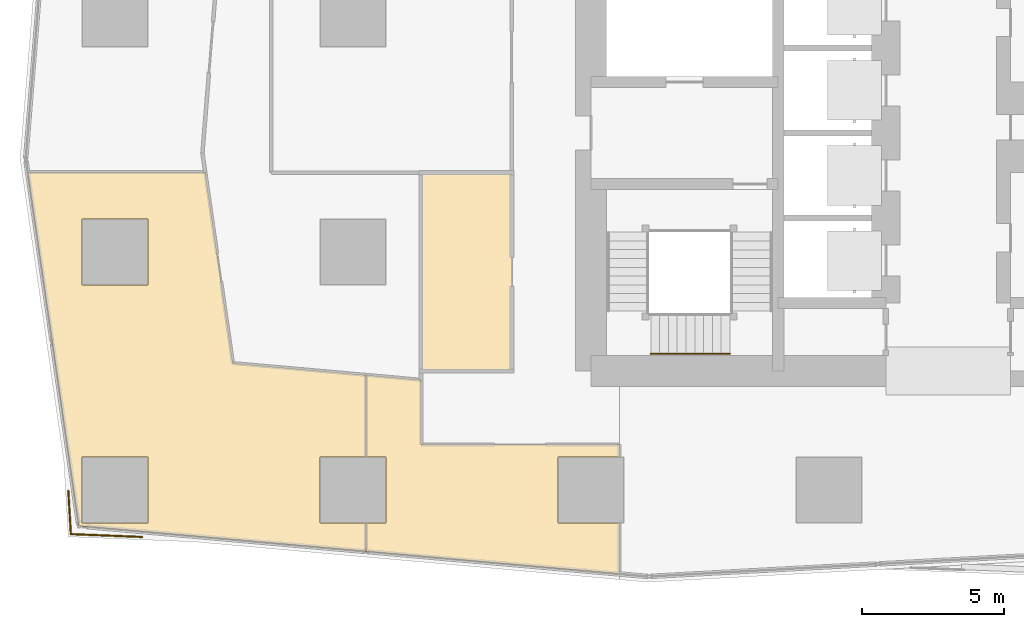
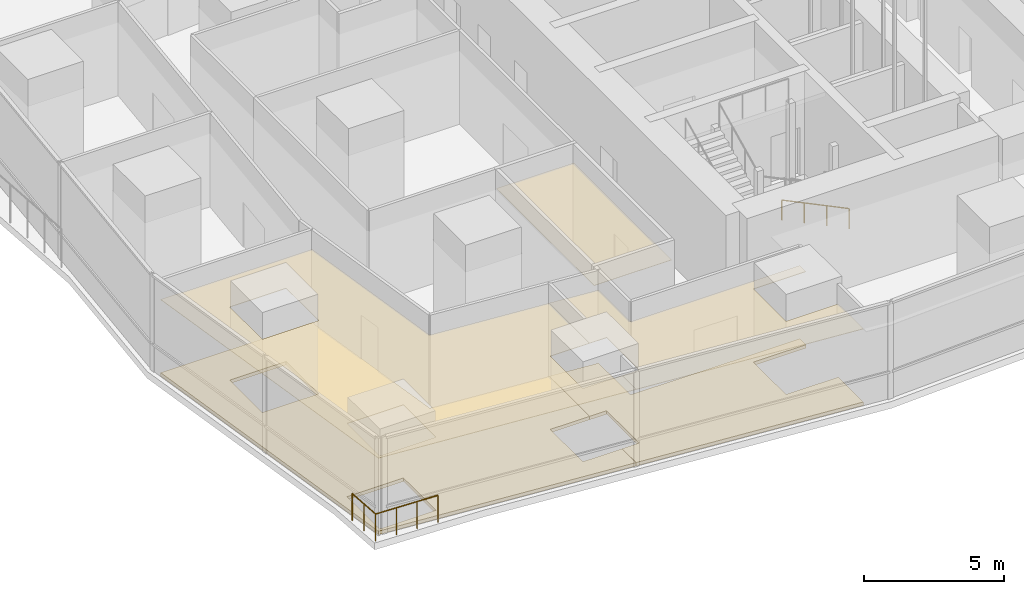
# One storey, part 19 of 39: 5 coverings, 3 railings.
"""IFC4 building model written with IfcOpenShell, lengths in metres."""

from ifc_helpers import new_model, si_unit, direction, frame, origin, origin_2d, place, context, subcontext, project, spatial, polyline, circle, outline, extrude, material, layer, layer_set, type_object, element, save


model = new_model("IFC4")

# Units and contexts
model_context = context("Model", 3, precision=1e-05, world=origin(), true_north=direction((0.0, 1.0)))
body_context = subcontext(model_context, "Body", "Model", "MODEL_VIEW")
ifc_project = project(units=[si_unit("LENGTHUNIT", "METRE"), si_unit("AREAUNIT", "SQUARE_METRE"), si_unit("VOLUMEUNIT", "CUBIC_METRE"), si_unit("PLANEANGLEUNIT", "RADIAN"), si_unit("MASSUNIT", "GRAM", prefix="KILO")], contexts=[model_context])

# Site, building, storey
site_placement = place(None, origin())
site = spatial("IfcSite", under=ifc_project, at=site_placement, CompositionType="ELEMENT")
building_placement = place(site_placement, origin())
building = spatial("IfcBuilding", under=site, at=building_placement, Name="Rekha Terrace Tower", CompositionType="ELEMENT")
storey_placement = place(building_placement, frame((0.0, 0.0, 245.60009765625)))
storey = spatial("IfcBuildingStorey", under=building, at=storey_placement, Name="L62", CompositionType="ELEMENT", Elevation=245.60009765625)

# Coverings
ifc_material_1 = material(Name="Mineral fibre tile in exposed grid", Category="finish")
ifc_layer_1 = layer(ifc_material_1, 0.02001953125)
ifc_layer_set_1 = layer_set([ifc_layer_1], Name="Mineral fibre tile in exposed grid")
covering_type_1 = type_object("IfcCoveringType", Name="CL1 600x1200 office grid ceiling", PredefinedType="CEILING", material=ifc_layer_set_1)
covering_1_placement = place(storey_placement, frame((0.0, 0.0, 3.329833984375)))
element("IfcCovering", 1, at=covering_1_placement, inside=storey, type_object=covering_type_1, Name="Ceiling L62-13", PredefinedType="CEILING", context=body_context, shape_type="SweptSolid", body=[
    extrude(outline(polyline([(17.259033203125, 20.85888671875), (12.55908203125, 21.27587890625), (11.5859375, 28.009033203125), (5.321044921875, 28.009033203125), (7.117919921875, 15.580078125), (7.125, 15.534912109375), (11.531982421875, 15.14306640625), (17.259033203125, 14.634033203125), (17.259033203125, 15.635009765625), (15.635009765625, 15.635009765625), (15.635009765625, 17.965087890625), (17.259033203125, 17.965087890625), (17.259033203125, 20.85888671875)]), holes=[polyline([(9.56494140625, 17.965087890625), (9.56494140625, 15.635009765625), (7.235107421875, 15.635009765625), (7.235107421875, 17.965087890625), (9.56494140625, 17.965087890625)]), polyline([(9.56494140625, 26.364990234375), (9.56494140625, 24.034912109375), (7.235107421875, 24.034912109375), (7.235107421875, 26.364990234375), (9.56494140625, 26.364990234375)])]), origin(), (0.0, 0.0, 1.0), 0.02001953125),
])
covering_2_placement = place(storey_placement, frame((0.0, 0.0, 3.329833984375)))
element("IfcCovering", 2, at=covering_2_placement, inside=storey, type_object=covering_type_1, Name="Ceiling L62-14", PredefinedType="CEILING", context=body_context, shape_type="SweptSolid", body=[
    extrude(outline(polyline([(26.199951171875, 17.965087890625), (26.199951171875, 18.39990234375), (19.199951171875, 18.39990234375), (19.199951171875, 20.68603515625), (17.260009765625, 20.85888671875), (17.260009765625, 17.965087890625), (17.965087890625, 17.965087890625), (17.965087890625, 15.635009765625), (17.260009765625, 15.635009765625), (17.260009765625, 14.634033203125), (26.199951171875, 13.840087890625), (26.199951171875, 15.635009765625), (24.034912109375, 15.635009765625), (24.034912109375, 17.965087890625), (26.199951171875, 17.965087890625)])), origin(), (0.0, 0.0, 1.0), 0.02001953125),
])
ifc_material_2 = material(Name="Fibre cement board", Category="finish")
ifc_layer_2 = layer(ifc_material_2, 0.014892578125)
ifc_layer_set_2 = layer_set([ifc_layer_2], Name="Fibre cement board")
covering_type_2 = type_object("IfcCoveringType", Name="CL2 moisture-resistant board ceiling", PredefinedType="CEILING", material=ifc_layer_set_2)
covering_3_placement = place(storey_placement, frame((0.0, 0.0, 3.3349609375)))
element("IfcCovering", 3, at=covering_3_placement, inside=storey, type_object=covering_type_2, Name="Ceiling L62-WCM", PredefinedType="CEILING", context=body_context, shape_type="SweptSolid", body=[
    extrude(outline(polyline([(22.39990234375, 28.0), (19.199951171875, 28.0), (19.199951171875, 21.0), (22.39990234375, 21.0), (22.39990234375, 28.0)])), origin(), (0.0, 0.0, 1.0), 0.014892578125),
])

# Railings
ifc_material_3 = material(Name="Steel guard with vertical balusters", Category="steel")
railing_type_1 = type_object("IfcRailingType", Name="GR2 refuge area guard 1200", PredefinedType="GUARDRAIL", material=ifc_material_3)
railing_1_placement = place(storey_placement, frame((6.7548828125, 16.76953125, 0.0)))
element("IfcRailing", 4, at=railing_1_placement, inside=storey, type_object=railing_type_1, Name="Ledge corner guard", PredefinedType="GUARDRAIL", context=body_context, shape_type="SweptSolid", body=[
    extrude(circle(Radius=0.02392578125, at=origin_2d()), frame((0.0, 0.0, 1.17578125), z_axis=(0.058722021951, -0.998274373175, 0.0), x_axis=(0.998274373175, 0.058722021951, 0.0)), (0.0, 0.0, 1.0), 1.52587890625),
    extrude(circle(Radius=0.02099609375, at=origin_2d()), origin(), (0.0, 0.0, 1.0), 1.15185546875),
    extrude(circle(Radius=0.02099609375, at=origin_2d()), frame((0.044921875, -0.76171875, 0.0)), (0.0, 0.0, 1.0), 1.15185546875),
    extrude(circle(Radius=0.02099609375, at=origin_2d()), frame((0.089599609375, -1.523193359375, 0.0)), (0.0, 0.0, 1.0), 1.15185546875),
])
railing_2_placement = place(storey_placement, frame((6.844482421875, 15.246337890625, 0.0)))
element("IfcRailing", 5, at=railing_2_placement, inside=storey, type_object=railing_type_1, Name="Ledge corner guard", PredefinedType="GUARDRAIL", context=body_context, shape_type="SweptSolid", body=[
    extrude(circle(Radius=0.02392578125, at=origin_2d()), frame((0.0, 0.0, 1.17578125), z_axis=(0.99920451971, -0.039878914119, 0.0), x_axis=(0.039878914119, 0.99920451971, 0.0)), (0.0, 0.0, 1.0), 2.51611328125),
    extrude(circle(Radius=0.02099609375, at=origin_2d()), origin(), (0.0, 0.0, 1.0), 1.15185546875),
    extrude(circle(Radius=0.02099609375, at=origin_2d()), frame((0.838134765625, -0.033447265625, 0.0)), (0.0, 0.0, 1.0), 1.15185546875),
    extrude(circle(Radius=0.02099609375, at=origin_2d()), frame((1.676025390625, -0.06689453125, 0.0)), (0.0, 0.0, 1.0), 1.15185546875),
    extrude(circle(Radius=0.02099609375, at=origin_2d()), frame((2.51416015625, -0.100341796875, 0.0)), (0.0, 0.0, 1.0), 1.15185546875),
])
ifc_material_4 = material(Name="Stainless steel tube", Category="steel")
railing_type_2 = type_object("IfcRailingType", Name="HR1 900 stair handrail", PredefinedType="HANDRAIL", material=ifc_material_4)
railing_3_placement = place(storey_placement, frame((30.10009765625, 21.610107421875, 1.64990234375)))
element("IfcRailing", 6, at=railing_3_placement, inside=storey, type_object=railing_type_2, Name="Handrail ST1 L62 flight 2", PredefinedType="HANDRAIL", context=body_context, shape_type="SweptSolid", body=[
    extrude(circle(Radius=0.02392578125, at=origin_2d()), frame((0.0, 0.0, 0.8759765625), z_axis=(-0.90014928908, 0.0, 0.43558151633), x_axis=(0.0, -1.0, 0.0)), (0.0, 0.0, 1.0), 3.099609375),
    extrude(circle(Radius=0.02099609375, at=origin_2d()), origin(), (0.0, 0.0, 1.0), 0.851806640625),
    extrude(circle(Radius=0.02099609375, at=origin_2d()), frame((-0.929931640625, 0.0, 0.449951171875)), (0.0, 0.0, 1.0), 0.851806640625),
    extrude(circle(Radius=0.02099609375, at=origin_2d()), frame((-1.860107421875, 0.0, 0.900146484375)), (0.0, 0.0, 1.0), 0.851806640625),
    extrude(circle(Radius=0.02099609375, at=origin_2d()), frame((-2.7900390625, 0.0, 1.35009765625)), (0.0, 0.0, 1.0), 0.851806640625),
])

# Coverings
ifc_material_5 = material(Name="Calcium sulphate panels on steel pedestals", Category="steel")
ifc_layer_3 = layer(ifc_material_5, 0.14990234375)
ifc_layer_set_3 = layer_set([ifc_layer_3], Name="Calcium sulphate panels on steel pedestals")
covering_type_3 = type_object("IfcCoveringType", Name="RF1 150 raised access floor", PredefinedType="FLOORING", material=ifc_layer_set_3)
covering_4_placement = place(storey_placement, origin())
element("IfcCovering", 7, at=covering_4_placement, inside=storey, type_object=covering_type_3, Name="Raised floor L62-13", PredefinedType="FLOORING", context=body_context, shape_type="SweptSolid", body=[
    extrude(outline(polyline([(17.259033203125, 20.85888671875), (12.55908203125, 21.27587890625), (11.5859375, 28.009033203125), (5.321044921875, 28.009033203125), (7.117919921875, 15.580078125), (7.125, 15.534912109375), (11.531982421875, 15.14306640625), (17.259033203125, 14.634033203125), (17.259033203125, 15.635009765625), (15.635009765625, 15.635009765625), (15.635009765625, 17.965087890625), (17.259033203125, 17.965087890625), (17.259033203125, 20.85888671875)]), holes=[polyline([(9.56494140625, 17.965087890625), (9.56494140625, 15.635009765625), (7.235107421875, 15.635009765625), (7.235107421875, 17.965087890625), (9.56494140625, 17.965087890625)]), polyline([(9.56494140625, 26.364990234375), (9.56494140625, 24.034912109375), (7.235107421875, 24.034912109375), (7.235107421875, 26.364990234375), (9.56494140625, 26.364990234375)])]), origin(), (0.0, 0.0, 1.0), 0.14990234375),
])
covering_5_placement = place(storey_placement, origin())
element("IfcCovering", 8, at=covering_5_placement, inside=storey, type_object=covering_type_3, Name="Raised floor L62-14", PredefinedType="FLOORING", context=body_context, shape_type="SweptSolid", body=[
    extrude(outline(polyline([(26.199951171875, 17.965087890625), (26.199951171875, 18.39990234375), (19.199951171875, 18.39990234375), (19.199951171875, 20.68603515625), (17.260009765625, 20.85888671875), (17.260009765625, 17.965087890625), (17.965087890625, 17.965087890625), (17.965087890625, 15.635009765625), (17.260009765625, 15.635009765625), (17.260009765625, 14.634033203125), (26.199951171875, 13.840087890625), (26.199951171875, 15.635009765625), (24.034912109375, 15.635009765625), (24.034912109375, 17.965087890625), (26.199951171875, 17.965087890625)])), origin(), (0.0, 0.0, 1.0), 0.14990234375),
])

save(model, "model.ifc")
